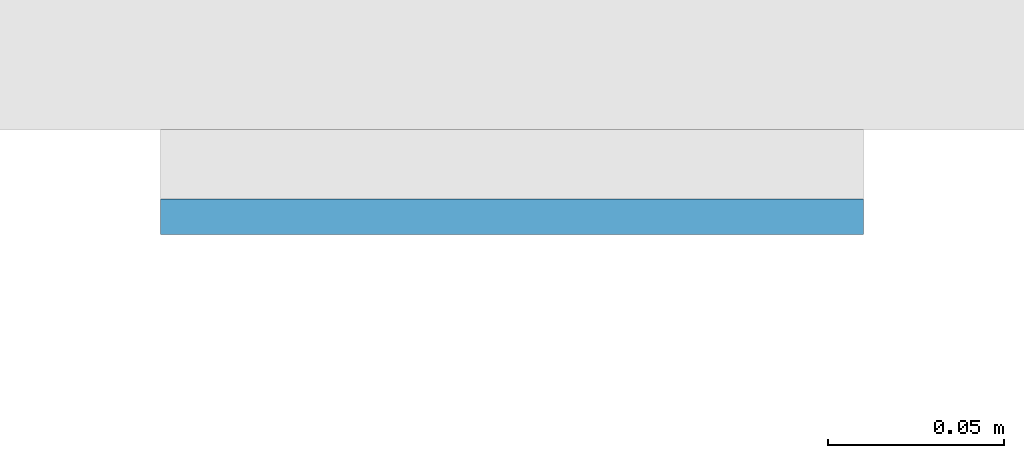
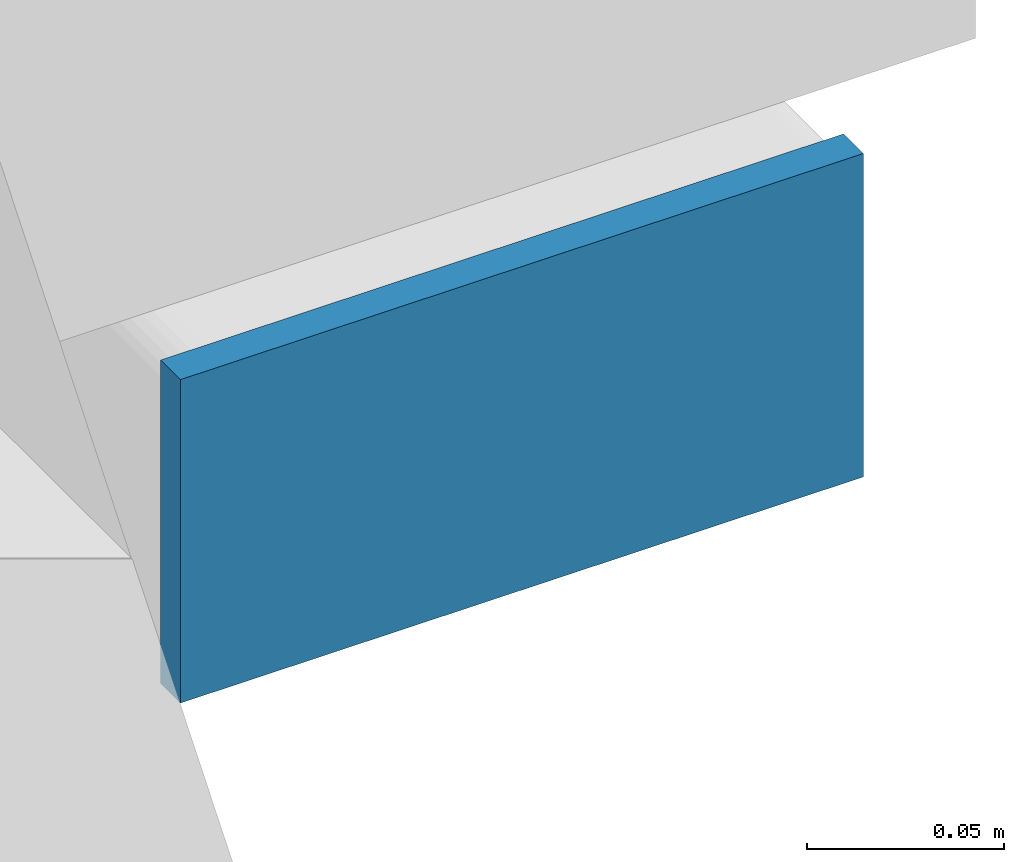
# One storey, part 5 of 12: 1 plate.
"""IFC4 building model written with IfcOpenShell, lengths in metres."""

from ifc_helpers import new_model, si_unit, direction, frame, origin, origin_2d, place, context, subcontext, project, spatial, rectangle, extrude, material, layer, layer_set, type_object, element, save


model = new_model("IFC4")

# Units and contexts
model_context = context("Model", 3, precision=1e-05, world=origin(), true_north=direction((0.0, 1.0)))
body_context = subcontext(model_context, "Body", "Model", "MODEL_VIEW")
ifc_project = project(units=[si_unit("LENGTHUNIT", "METRE"), si_unit("AREAUNIT", "SQUARE_METRE"), si_unit("VOLUMEUNIT", "CUBIC_METRE"), si_unit("PLANEANGLEUNIT", "RADIAN"), si_unit("MASSUNIT", "GRAM", prefix="KILO")], contexts=[model_context])

# Site, building, storey
site_placement = place(None, origin())
site = spatial("IfcSite", under=ifc_project, at=site_placement, CompositionType="ELEMENT")
building_placement = place(site_placement, origin())
building = spatial("IfcBuilding", under=site, at=building_placement, Name="Cleftline Residences", CompositionType="ELEMENT")
storey_placement = place(building_placement, frame((0.0, 0.0, 273.60009765625)))
storey = spatial("IfcBuildingStorey", under=building, at=storey_placement, Name="L72", CompositionType="ELEMENT", Elevation=273.60009765625)

# Plate
ifc_material = material(Name="Steel S355, hot-dip galvanised", Category="steel")
ifc_layer = layer(ifc_material, 0.010009765625)
ifc_layer_set = layer_set([ifc_layer], Name="BAGUETTE CARRIER END PLATE 200X100X10")
plate_type = type_object("IfcPlateType", Name="BAGUETTE CARRIER END PLATE 200X100X10", PredefinedType="USERDEFINED", material=ifc_layer_set)
plate_placement = place(storey_placement, frame((66.85009765625, 3.695068359375, -0.10009765625), z_axis=(0.0, 0.0, 1.0), x_axis=(1.0, 0.0, 0.0)))
element("IfcPlate", 1, at=plate_placement, inside=storey, type_object=plate_type, Name="Baguette carrier end plate", ObjectType="BAGUETTE CARRIER END PLATE", PredefinedType="USERDEFINED", context=body_context, shape_type="SweptSolid", body=[
    extrude(rectangle(XDim=0.199951171875, YDim=0.010009765625, at=origin_2d()), origin(), (0.0, 0.0, 1.0), 0.10009765625),
])

save(model, "model.ifc")
